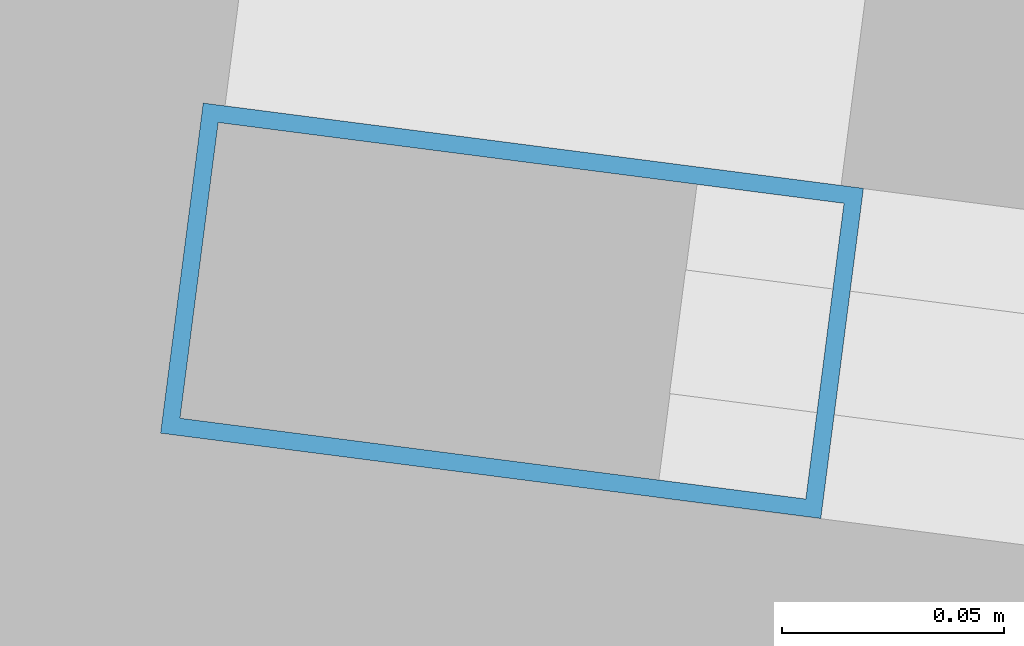
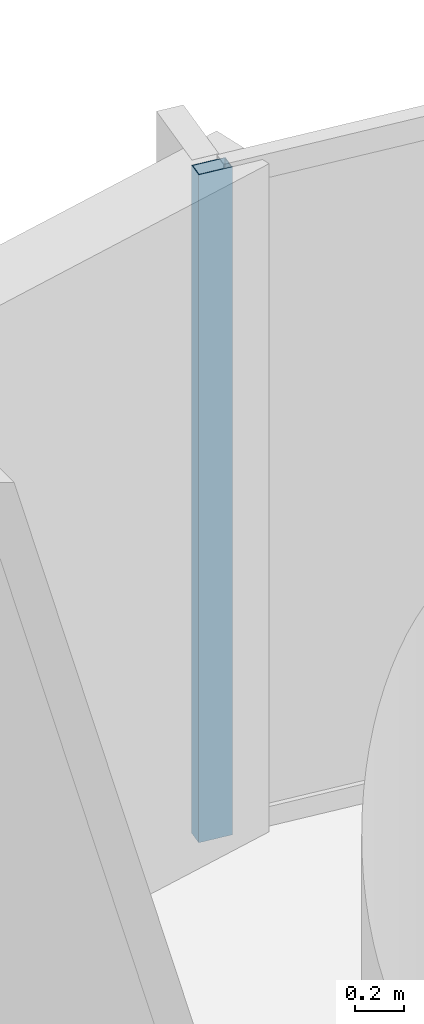
# One storey, part 20 of 32: 1 member, 1 element without a shape of its own.
"""IFC4 building model written with IfcOpenShell, lengths in metres."""

from ifc_helpers import new_model, si_unit, direction, frame, origin, origin_2d, place, context, subcontext, project, spatial, hollow_rectangle, extrude, material, layer, layer_set, material_profile, profile_set, type_object, element, aggregate, save


model = new_model("IFC4")

# Units and contexts
model_context = context("Model", 3, precision=1e-05, world=origin(), true_north=direction((0.0, 1.0)))
body_context = subcontext(model_context, "Body", "Model", "MODEL_VIEW")
ifc_project = project(units=[si_unit("LENGTHUNIT", "METRE"), si_unit("AREAUNIT", "SQUARE_METRE"), si_unit("VOLUMEUNIT", "CUBIC_METRE"), si_unit("PLANEANGLEUNIT", "RADIAN"), si_unit("MASSUNIT", "GRAM", prefix="KILO")], contexts=[model_context])

# Site, building, storey
site_placement = place(None, origin())
site = spatial("IfcSite", under=ifc_project, at=site_placement, CompositionType="ELEMENT")
building_placement = place(site_placement, origin())
building = spatial("IfcBuilding", under=site, at=building_placement, Name="Kazevale Care Tower and Concert Hall", CompositionType="ELEMENT")
storey_placement = place(building_placement, frame((0.0, 0.0, 38.39990234375)))
storey = spatial("IfcBuildingStorey", under=building, at=storey_placement, Name="L09", CompositionType="ELEMENT", Elevation=38.39990234375)

# Curtain wall, member
ifc_material_1 = material(Name="Aluminium 6063-T6 and Low-E Glass", Category="aluminium")
ifc_layer = layer(ifc_material_1, 0.179931640625)
ifc_layer_set = layer_set([ifc_layer], Name="Aluminium 6063-T6 and Low-E Glass")
curtain_wall_type = type_object("IfcCurtainWallType", Name="Convex Recessed Sunroom Curtain Wall CW-3", PredefinedType="NOTDEFINED", material=ifc_layer_set)
curtain_wall_placement = place(storey_placement, origin())
curtain_wall = element("IfcCurtainWall", 1, at=curtain_wall_placement, inside=storey, type_object=curtain_wall_type, Name="cw:L09:f16", PredefinedType="NOTDEFINED")
ifc_material_2 = material(Name="Aluminium 6063-T6", Category="aluminium")
ifc_material_profile = material_profile(ifc_material_2, hollow_rectangle(XDim=0.074951171875, YDim=0.14990234375, WallThickness=0.00390625, at=origin_2d()), Name="ALU75x150x4")
ifc_profile_set = profile_set([ifc_material_profile], Name="Aluminium 6063-T6")
member_type = type_object("IfcMemberType", Name="CW-3 Mullion ALU75x150x4", PredefinedType="MULLION", material=ifc_profile_set)
member_placement = place(storey_placement, frame((45.0771484375, 65.417236328125, 0.0), z_axis=(0.0, 0.0, 1.0), x_axis=(0.128086196538, 0.991763039368, 0.0)))
member = element("IfcMember", 2, at=member_placement, type_object=member_type, Name="CW-3 mullion 1", PredefinedType="MULLION", context=body_context, shape_type="SweptSolid", body=[
    extrude(hollow_rectangle(XDim=0.074951171875, YDim=0.14990234375, WallThickness=0.00390625, at=origin_2d()), origin(), (0.0, 0.0, 1.0), 3.360107421875),
])
aggregate(curtain_wall, [member])

save(model, "model.ifc")
